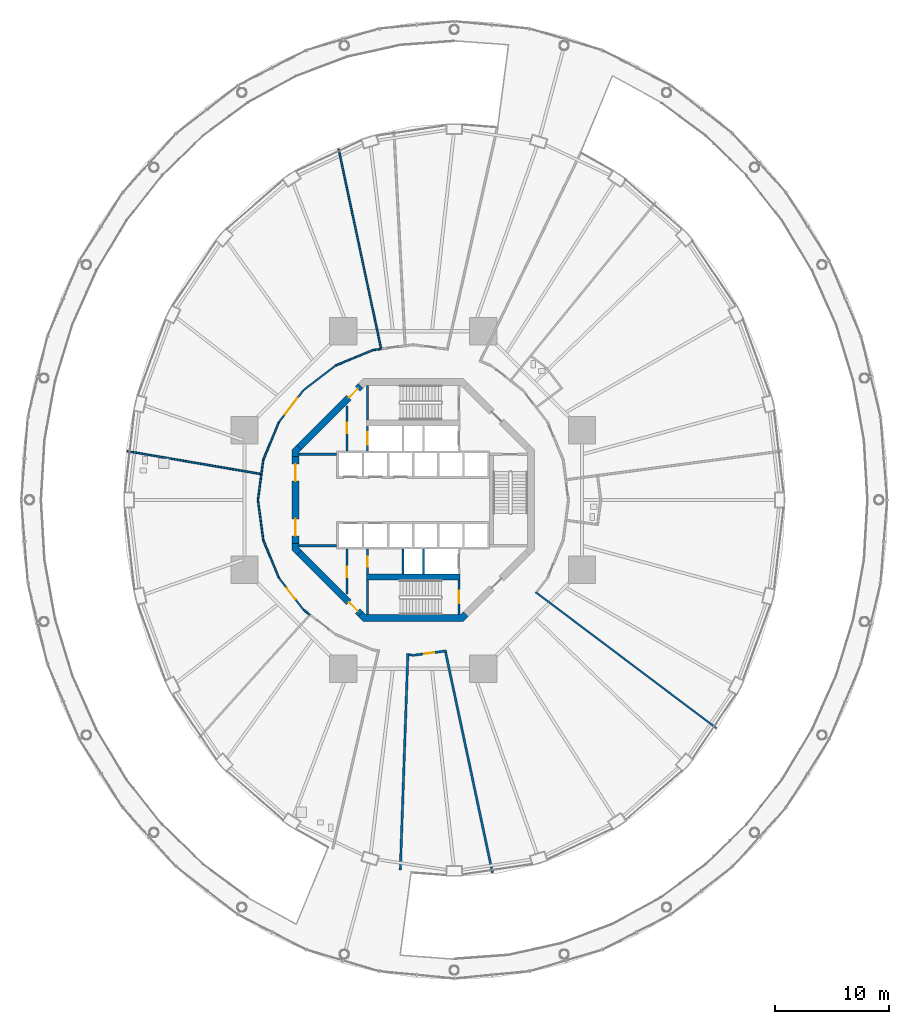
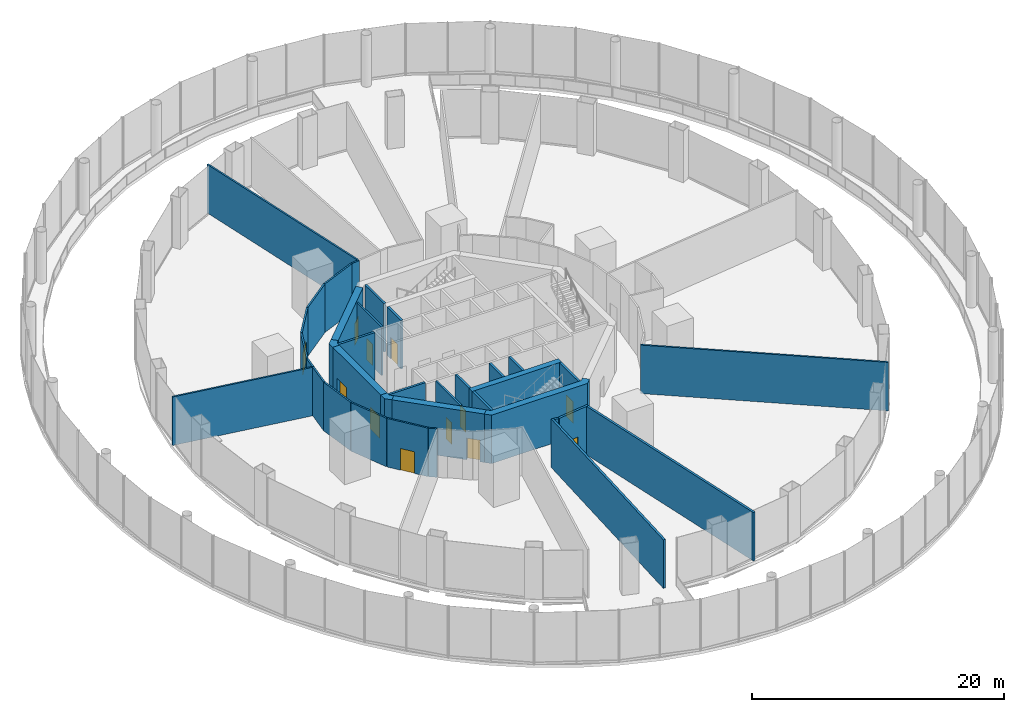
# One storey, part 42 of 47: 36 walls, 12 doors, 12 openings.
"""IFC4 building model written with IfcOpenShell, lengths in metres."""

from ifc_helpers import new_model, si_unit, direction, frame, frame_2d, origin, place, context, subcontext, project, spatial, polyline, rectangle, outline, extrude, material, layer, layer_set, type_object, element, fill, save


model = new_model("IFC4")

# Units and contexts
model_context = context("Model", 3, precision=1e-05, world=origin(), true_north=direction((0.0, 1.0)))
body_context = subcontext(model_context, "Body", "Model", "MODEL_VIEW")
ifc_project = project(units=[si_unit("LENGTHUNIT", "METRE"), si_unit("AREAUNIT", "SQUARE_METRE"), si_unit("VOLUMEUNIT", "CUBIC_METRE"), si_unit("PLANEANGLEUNIT", "RADIAN"), si_unit("MASSUNIT", "GRAM", prefix="KILO")], contexts=[model_context])

# Site, building, storey
site_placement = place(None, origin())
site = spatial("IfcSite", under=ifc_project, at=site_placement, CompositionType="ELEMENT")
building_placement = place(site_placement, origin())
building = spatial("IfcBuilding", under=site, at=building_placement, Name="Nagisa Residences", CompositionType="ELEMENT")
storey_placement = place(building_placement, frame((0.0, 0.0, 7.0)))
storey = spatial("IfcBuildingStorey", under=building, at=storey_placement, Name="L01", CompositionType="ELEMENT", Elevation=7.0)

# Wall, opening, door
ifc_material_1 = material(Name="Gypsum board on steel studs", Category="steel")
ifc_layer_1 = layer(ifc_material_1, 0.14990234375)
ifc_layer_set_1 = layer_set([ifc_layer_1], Name="Core partition 150")
wall_type_1 = type_object("IfcWallType", Name="Core partition 150", PredefinedType="PARTITIONING", material=ifc_layer_set_1)
wall_1_placement = place(storey_placement, frame((-5.800048828125, 4.300048828125, 0.0), z_axis=(0.0, 0.0, 1.0), x_axis=(0.0, 1.0, 0.0)))
wall_1 = element("IfcWall", 1, at=wall_1_placement, inside=storey, type_object=wall_type_1, Name="wall:L01:NWp", PredefinedType="PARTITIONING", context=body_context, shape_type="SweptSolid", body=[
    extrude(rectangle(XDim=3.927001953125, YDim=0.14990234375, at=frame_2d((1.96337890625, 0.0))), origin(), (0.0, 0.0, 1.0), 4.699951171875),
])
opening_1_placement = place(wall_1_placement, frame((1.551025390625, 0.0, 0.0)))
opening_1 = element("IfcOpeningElement", 2, at=opening_1_placement, cuts=wall_1, Name="Opening L01-C12", PredefinedType="OPENING", context=body_context, shape_type="SweptSolid", body=[
    extrude(rectangle(XDim=0.89990234375, YDim=2.10009765625, at=frame_2d((0.449951171875, 1.050048828125))), frame((0.0, 0.0849609375, 0.0), z_axis=(0.0, -1.0, 0.0), x_axis=(1.0, 0.0, 0.0)), (0.0, 0.0, 1.0), 0.169921875),
])
ifc_material_2 = material(Name="Steel fire door", Category="steel")
door_type_1 = type_object("IfcDoorType", Name="Fire door EI30 900x2100 single swing", OperationType="NOTDEFINED", PredefinedType="DOOR", material=ifc_material_2)
door_1_placement = place(opening_1_placement, origin())
door_1 = element("IfcDoor", 3, at=door_1_placement, inside=storey, type_object=door_type_1, Name="Electrical room door L01", OperationType="SINGLE_SWING_LEFT", OverallHeight=2.10009765625, OverallWidth=0.89990234375, PredefinedType="DOOR", context=body_context, shape_type="SweptSolid", body=[
    extrude(rectangle(XDim=0.89990234375, YDim=2.10009765625, at=frame_2d((0.449951171875, 1.050048828125))), frame((0.0, 0.02490234375, 0.0), z_axis=(0.0, -1.0, 0.0), x_axis=(1.0, 0.0, 0.0)), (0.0, 0.0, 1.0), 0.050048828125),
])
fill(opening_1, door_1)

wall_2_placement = place(storey_placement, frame((-5.800048828125, -8.22705078125, 0.0), z_axis=(0.0, 0.0, 1.0), x_axis=(0.0, 1.0, 0.0)))
wall_2 = element("IfcWall", 4, at=wall_2_placement, inside=storey, type_object=wall_type_1, Name="wall:L01:SWp", PredefinedType="PARTITIONING", context=body_context, shape_type="SweptSolid", body=[
    extrude(rectangle(XDim=3.927001953125, YDim=0.14990234375, at=frame_2d((1.96337890625, 0.0))), origin(), (0.0, 0.0, 1.0), 4.699951171875),
])
opening_2_placement = place(wall_2_placement, frame((1.47607421875, 0.0, 0.0)))
opening_2 = element("IfcOpeningElement", 5, at=opening_2_placement, cuts=wall_2, Name="Opening L01-C13", PredefinedType="OPENING", context=body_context, shape_type="SweptSolid", body=[
    extrude(rectangle(XDim=0.89990234375, YDim=2.10009765625, at=frame_2d((0.449951171875, 1.050048828125))), frame((0.0, 0.0849609375, 0.0), z_axis=(0.0, -1.0, 0.0), x_axis=(1.0, 0.0, 0.0)), (0.0, 0.0, 1.0), 0.169921875),
])
door_2_placement = place(opening_2_placement, origin())
door_2 = element("IfcDoor", 6, at=door_2_placement, inside=storey, type_object=door_type_1, Name="Refuse room door L01", OperationType="SINGLE_SWING_LEFT", OverallHeight=2.10009765625, OverallWidth=0.89990234375, PredefinedType="DOOR", context=body_context, shape_type="SweptSolid", body=[
    extrude(rectangle(XDim=0.89990234375, YDim=2.10009765625, at=frame_2d((0.449951171875, 1.050048828125))), frame((0.0, 0.02490234375, 0.0), z_axis=(0.0, -1.0, 0.0), x_axis=(1.0, 0.0, 0.0)), (0.0, 0.0, 1.0), 0.050048828125),
])
fill(opening_2, door_2)

# Walls
ifc_material_3 = material(Name="Gypsum board on steel studs", Category="steel")
ifc_layer_2 = layer(ifc_material_3, 0.199951171875)
ifc_layer_set_2 = layer_set([ifc_layer_2], Name="Core partition 200")
wall_type_2 = type_object("IfcWallType", Name="Core partition 200", PredefinedType="PARTITIONING", material=ifc_layer_set_2)
for number, where, z_axis, x_axis, name in (
    (7, (-10.024658203125, -4.0, 0.0), (0.0, 0.0, 1.0), (1.0, 0.0, 0.0), "wall:L01:PSW"),
    (8, (-10.024658203125, 4.0, 0.0), (0.0, 0.0, 1.0), (1.0, 0.0, 0.0), "wall:L01:PNW"),
):
    element("IfcWall", number, at=place(storey_placement, frame(where, z_axis=z_axis, x_axis=x_axis)), inside=storey, type_object=wall_type_2, Name=name, PredefinedType="PARTITIONING", context=body_context, shape_type="SweptSolid", body=[
        extrude(rectangle(XDim=3.32470703125, YDim=0.199951171875, at=frame_2d((1.662353515625, 0.0))), origin(), (0.0, 0.0, 1.0), 4.699951171875),
    ])

# Wall, opening, door
ifc_material_4 = material(Name="Concrete C60", Category="concrete")
ifc_layer_3 = layer(ifc_material_4, 0.60009765625)
ifc_layer_set_3 = layer_set([ifc_layer_3], Name="Core shear wall 600")
wall_type_3 = type_object("IfcWallType", Name="Core shear wall 600", PredefinedType="SHEAR", material=ifc_layer_set_3)
wall_3_placement = place(storey_placement, frame((-4.613037109375, 9.98828125, 0.0), z_axis=(0.0, 0.0, 1.0), x_axis=(-0.707106781187, -0.707106781187, 0.0)))
wall_3 = element("IfcWall", 9, at=wall_3_placement, inside=storey, type_object=wall_type_3, Name="wall:L01:core:flat3", PredefinedType="SHEAR", context=body_context, shape_type="SweptSolid", body=[
    extrude(rectangle(XDim=7.601806640625, YDim=0.60009765625, at=frame_2d((3.80078125, 0.0))), origin(), (0.0, 0.0, 1.0), 4.699951171875),
])
opening_3_placement = place(wall_3_placement, frame((0.350830078125, 0.0, 0.0)))
opening_3 = element("IfcOpeningElement", 10, at=opening_3_placement, cuts=wall_3, Name="Opening L01-C19", PredefinedType="OPENING", context=body_context, shape_type="SweptSolid", body=[
    extrude(rectangle(XDim=1.10009765625, YDim=2.10009765625, at=frame_2d((0.550048828125, 1.050048828125))), frame((0.0, 0.31005859375, 0.0), z_axis=(0.0, -1.0, 0.0), x_axis=(1.0, 0.0, 0.0)), (0.0, 0.0, 1.0), 0.6201171875),
])
ifc_material_5 = material(Name="Steel fire door", Category="steel")
door_type_2 = type_object("IfcDoorType", Name="Fire door EI60 1100x2100 single swing", OperationType="NOTDEFINED", PredefinedType="DOOR", material=ifc_material_5)
door_3_placement = place(opening_3_placement, origin())
door_3 = element("IfcDoor", 11, at=door_3_placement, inside=storey, type_object=door_type_2, Name="Service lobby door L01", OperationType="SINGLE_SWING_LEFT", OverallHeight=2.10009765625, OverallWidth=1.10009765625, PredefinedType="DOOR", context=body_context, shape_type="SweptSolid", body=[
    extrude(rectangle(XDim=1.10009765625, YDim=2.10009765625, at=frame_2d((0.550048828125, 1.050048828125))), frame((0.0, 0.02490234375, 0.0), z_axis=(0.0, -1.0, 0.0), x_axis=(1.0, 0.0, 0.0)), (0.0, 0.0, 1.0), 0.050048828125),
])
fill(opening_3, door_3)

# Wall, openings, doors
wall_4_placement = place(storey_placement, frame((-10.32470703125, 3.80078125, 0.0), z_axis=(0.0, 0.0, 1.0), x_axis=(0.0, -1.0, 0.0)))
wall_4 = element("IfcWall", 12, at=wall_4_placement, inside=storey, type_object=wall_type_3, Name="wall:L01:core:flat4", PredefinedType="SHEAR", context=body_context, shape_type="SweptSolid", body=[
    extrude(rectangle(XDim=7.6015625, YDim=0.60009765625, at=frame_2d((3.80078125, 0.0))), origin(), (0.0, 0.0, 1.0), 4.699951171875),
])
opening_4_placement = place(wall_4_placement, frame((0.65087890625, 0.0, 0.0)))
opening_4 = element("IfcOpeningElement", 13, at=opening_4_placement, cuts=wall_4, Name="Opening L01-C17", PredefinedType="OPENING", context=body_context, shape_type="SweptSolid", body=[
    extrude(rectangle(XDim=1.5, YDim=2.10009765625, at=frame_2d((0.75, 1.050048828125))), frame((0.0, 0.31005859375, 0.0), z_axis=(0.0, -1.0, 0.0), x_axis=(1.0, 0.0, 0.0)), (0.0, 0.0, 1.0), 0.6201171875),
])
opening_5_placement = place(wall_4_placement, frame((5.450927734375, 0.0, 0.0)))
opening_5 = element("IfcOpeningElement", 14, at=opening_5_placement, cuts=wall_4, Name="Opening L01-C18", PredefinedType="OPENING", context=body_context, shape_type="SweptSolid", body=[
    extrude(rectangle(XDim=1.5, YDim=2.10009765625, at=frame_2d((0.75, 1.050048828125))), frame((0.0, 0.31005859375, 0.0), z_axis=(0.0, -1.0, 0.0), x_axis=(1.0, 0.0, 0.0)), (0.0, 0.0, 1.0), 0.6201171875),
])
ifc_material_6 = material(Name="Steel fire door", Category="steel")
door_type_3 = type_object("IfcDoorType", Name="Fire door EI60 1500x2100 double door single swing", OperationType="DOUBLE_DOOR_SINGLE_SWING", PredefinedType="DOOR", material=ifc_material_6)
door_4_placement = place(opening_4_placement, origin())
door_4 = element("IfcDoor", 15, at=door_4_placement, inside=storey, type_object=door_type_3, Name="Lift lobby door L01 1", OperationType="DOUBLE_DOOR_SINGLE_SWING", OverallHeight=2.10009765625, OverallWidth=1.5, PredefinedType="DOOR", context=body_context, shape_type="SweptSolid", body=[
    extrude(rectangle(XDim=1.5, YDim=2.10009765625, at=frame_2d((0.75, 1.050048828125))), frame((0.0, 0.02490234375, 0.0), z_axis=(0.0, -1.0, 0.0), x_axis=(1.0, 0.0, 0.0)), (0.0, 0.0, 1.0), 0.050048828125),
])
fill(opening_4, door_4)
door_5_placement = place(opening_5_placement, origin())
door_5 = element("IfcDoor", 16, at=door_5_placement, inside=storey, type_object=door_type_3, Name="Lift lobby door L01 2", OperationType="DOUBLE_DOOR_SINGLE_SWING", OverallHeight=2.10009765625, OverallWidth=1.5, PredefinedType="DOOR", context=body_context, shape_type="SweptSolid", body=[
    extrude(rectangle(XDim=1.5, YDim=2.10009765625, at=frame_2d((0.75, 1.050048828125))), frame((0.0, 0.02490234375, 0.0), z_axis=(0.0, -1.0, 0.0), x_axis=(1.0, 0.0, 0.0)), (0.0, 0.0, 1.0), 0.050048828125),
])
fill(opening_5, door_5)

# Wall, opening, door
wall_5_placement = place(storey_placement, frame((-9.98828125, -4.613037109375, 0.0), z_axis=(0.0, 0.0, 1.0), x_axis=(0.707106781187, -0.707106781187, 0.0)))
wall_5 = element("IfcWall", 17, at=wall_5_placement, inside=storey, type_object=wall_type_3, Name="wall:L01:core:flat5", PredefinedType="SHEAR", context=body_context, shape_type="SweptSolid", body=[
    extrude(rectangle(XDim=7.601806640625, YDim=0.60009765625, at=frame_2d((3.80078125, 0.0))), origin(), (0.0, 0.0, 1.0), 4.699951171875),
])
opening_6_placement = place(wall_5_placement, frame((6.15087890625, 0.0, 0.0)))
opening_6 = element("IfcOpeningElement", 18, at=opening_6_placement, cuts=wall_5, Name="Opening L01-C20", PredefinedType="OPENING", context=body_context, shape_type="SweptSolid", body=[
    extrude(rectangle(XDim=1.10009765625, YDim=2.10009765625, at=frame_2d((0.550048828125, 1.050048828125))), frame((0.0, 0.31005859375, 0.0), z_axis=(0.0, -1.0, 0.0), x_axis=(1.0, 0.0, 0.0)), (0.0, 0.0, 1.0), 0.6201171875),
])
door_6_placement = place(opening_6_placement, origin())
door_6 = element("IfcDoor", 19, at=door_6_placement, inside=storey, type_object=door_type_2, Name="Housekeeping lobby door L01", OperationType="SINGLE_SWING_LEFT", OverallHeight=2.10009765625, OverallWidth=1.10009765625, PredefinedType="DOOR", context=body_context, shape_type="SweptSolid", body=[
    extrude(rectangle(XDim=1.10009765625, YDim=2.10009765625, at=frame_2d((0.550048828125, 1.050048828125))), frame((0.0, 0.02490234375, 0.0), z_axis=(0.0, -1.0, 0.0), x_axis=(1.0, 0.0, 0.0)), (0.0, 0.0, 1.0), 0.050048828125),
])
fill(opening_6, door_6)

# Walls
wall_6_placement = place(storey_placement, origin())
element("IfcWall", 20, at=wall_6_placement, inside=storey, type_object=wall_type_3, Name="wall:L01:core:pier4", PredefinedType="SHEAR", context=body_context, shape_type="SweptSolid", body=[
    extrude(outline(polyline([(-10.62451171875, -3.80078125), (-10.024658203125, -3.80078125), (-10.024658203125, -4.15234375), (-9.776123046875, -4.40087890625), (-10.200439453125, -4.8251953125), (-10.62451171875, -4.40087890625), (-10.62451171875, -3.80078125)])), origin(), (0.0, 0.0, 1.0), 4.699951171875),
])
wall_7_placement = place(storey_placement, origin())
element("IfcWall", 21, at=wall_7_placement, inside=storey, type_object=wall_type_3, Name="wall:L01:core:pier3", PredefinedType="SHEAR", context=body_context, shape_type="SweptSolid", body=[
    extrude(outline(polyline([(-10.200439453125, 4.8251953125), (-9.776123046875, 4.40087890625), (-10.024658203125, 4.15234375), (-10.024658203125, 3.80078125), (-10.62451171875, 3.80078125), (-10.62451171875, 4.40087890625), (-10.200439453125, 4.8251953125)])), origin(), (0.0, 0.0, 1.0), 4.699951171875),
])
wall_8_placement = place(storey_placement, origin())
element("IfcWall", 22, at=wall_8_placement, inside=storey, type_object=wall_type_3, Name="wall:L01:core:flat6", PredefinedType="SHEAR", context=body_context, shape_type="SweptSolid", body=[
    extrude(outline(polyline([(-4.15234375, -10.024658203125), (4.15234375, -10.024658203125), (4.40087890625, -9.776123046875), (4.8251953125, -10.200439453125), (4.40087890625, -10.62451171875), (-4.40087890625, -10.62451171875), (-4.8251953125, -10.200439453125), (-4.40087890625, -9.776123046875), (-4.15234375, -10.024658203125)])), origin(), (0.0, 0.0, 1.0), 4.699951171875),
])

# Wall, opening, door
ifc_material_7 = material(Name="Concrete C60", Category="concrete")
ifc_layer_4 = layer(ifc_material_7, 0.199951171875)
ifc_layer_set_4 = layer_set([ifc_layer_4], Name="Lift shaft wall 200")
wall_type_4 = type_object("IfcWallType", Name="Lift shaft wall 200", PredefinedType="SOLIDWALL", material=ifc_layer_set_4)
wall_9_placement = place(storey_placement, frame((-4.0, 4.300048828125, 0.0), z_axis=(0.0, 0.0, 1.0), x_axis=(0.0, 1.0, 0.0)))
wall_9 = element("IfcWall", 23, at=wall_9_placement, inside=storey, type_object=wall_type_4, Name="wall:L01:Nb4", PredefinedType="SOLIDWALL", context=body_context, shape_type="SweptSolid", body=[
    extrude(rectangle(XDim=2.199951171875, YDim=0.199951171875, at=frame_2d((1.10009765625, 0.0))), origin(), (0.0, 0.0, 1.0), 4.699951171875),
])
opening_7_placement = place(wall_9_placement, frame((0.550048828125, 0.0, 0.0)))
opening_7 = element("IfcOpeningElement", 24, at=opening_7_placement, cuts=wall_9, Name="Opening L01-C08", PredefinedType="OPENING", context=body_context, shape_type="SweptSolid", body=[
    extrude(rectangle(XDim=1.10009765625, YDim=2.10009765625, at=frame_2d((0.550048828125, 1.050048828125))), frame((0.0, 0.10986328125, 0.0), z_axis=(0.0, -1.0, 0.0), x_axis=(1.0, 0.0, 0.0)), (0.0, 0.0, 1.0), 0.219970703125),
])
ifc_material_8 = material(Name="Stainless steel", Category="steel")
door_type_4 = type_object("IfcDoorType", Name="Lift landing door 1100x2100", OperationType="DOUBLE_DOOR_SLIDING", PredefinedType="DOOR", material=ifc_material_8)
door_7_placement = place(opening_7_placement, origin())
door_7 = element("IfcDoor", 25, at=door_7_placement, inside=storey, type_object=door_type_4, Name="Landing door SV L01", OperationType="DOUBLE_DOOR_SLIDING", OverallHeight=2.10009765625, OverallWidth=1.10009765625, PredefinedType="DOOR", context=body_context, shape_type="SweptSolid", body=[
    extrude(rectangle(XDim=1.10009765625, YDim=2.10009765625, at=frame_2d((0.550048828125, 1.050048828125))), frame((0.0, 0.02490234375, 0.0), z_axis=(0.0, -1.0, 0.0), x_axis=(1.0, 0.0, 0.0)), (0.0, 0.0, 1.0), 0.050048828125),
])
fill(opening_7, door_7)

wall_10_placement = place(storey_placement, frame((-4.0, -6.5, 0.0), z_axis=(0.0, 0.0, 1.0), x_axis=(0.0, 1.0, 0.0)))
wall_10 = element("IfcWall", 26, at=wall_10_placement, inside=storey, type_object=wall_type_4, Name="wall:L01:Sb4", PredefinedType="SOLIDWALL", context=body_context, shape_type="SweptSolid", body=[
    extrude(rectangle(XDim=2.199951171875, YDim=0.199951171875, at=frame_2d((1.10009765625, 0.0))), origin(), (0.0, 0.0, 1.0), 4.699951171875),
])
opening_8_placement = place(wall_10_placement, frame((0.64990234375, 0.0, 0.0)))
opening_8 = element("IfcOpeningElement", 27, at=opening_8_placement, cuts=wall_10, Name="Opening L01-C14", PredefinedType="OPENING", context=body_context, shape_type="SweptSolid", body=[
    extrude(rectangle(XDim=0.89990234375, YDim=2.10009765625, at=frame_2d((0.449951171875, 1.050048828125))), frame((0.0, 0.10986328125, 0.0), z_axis=(0.0, -1.0, 0.0), x_axis=(1.0, 0.0, 0.0)), (0.0, 0.0, 1.0), 0.219970703125),
])
door_8_placement = place(opening_8_placement, frame((0.89990234375, 0.0, 0.0), x_axis=(-1.0, 0.0, 0.0)))
door_8 = element("IfcDoor", 28, at=door_8_placement, inside=storey, type_object=door_type_1, Name="Refuse room door L01", OperationType="SINGLE_SWING_LEFT", OverallHeight=2.10009765625, OverallWidth=0.89990234375, PredefinedType="DOOR", context=body_context, shape_type="SweptSolid", body=[
    extrude(rectangle(XDim=0.89990234375, YDim=2.10009765625, at=frame_2d((0.449951171875, 1.050048828125))), frame((0.0, 0.02490234375, 0.0), z_axis=(0.0, -1.0, 0.0), x_axis=(1.0, 0.0, 0.0)), (0.0, 0.0, 1.0), 0.050048828125),
])
fill(opening_8, door_8)

# Walls
for number, where, z_axis, x_axis, name in (
    (29, (-0.89990234375, -6.5, 0.0), (0.0, 0.0, 1.0), (0.0, 1.0, 0.0), "wall:L01:Sb1"),
    (30, (0.89990234375, -6.5, 0.0), (0.0, 0.0, 1.0), (0.0, 1.0, 0.0), "wall:L01:Sb2"),
):
    element("IfcWall", number, at=place(storey_placement, frame(where, z_axis=z_axis, x_axis=x_axis)), inside=storey, type_object=wall_type_4, Name=name, PredefinedType="SOLIDWALL", context=body_context, shape_type="SweptSolid", body=[
        extrude(rectangle(XDim=2.199951171875, YDim=0.199951171875, at=frame_2d((1.10009765625, 0.0))), origin(), (0.0, 0.0, 1.0), 4.699951171875),
    ])
ifc_material_9 = material(Name="Gypsum board on steel studs", Category="steel")
ifc_layer_5 = layer(ifc_material_9, 0.199951171875)
ifc_layer_set_5 = layer_set([ifc_layer_5], Name="Plant room wall EI120 200")
wall_type_5 = type_object("IfcWallType", Name="Plant room wall EI120 200", PredefinedType="PARTITIONING", material=ifc_layer_set_5)
wall_11_placement = place(storey_placement, frame((-0.46923828125, -13.4375, 0.0), z_axis=(0.0, 0.0, 1.0), x_axis=(-0.034906746489, -0.999390573825, 0.0)))
element("IfcWall", 31, at=wall_11_placement, inside=storey, type_object=wall_type_5, Name="wall:L01:am047", PredefinedType="PARTITIONING", context=body_context, shape_type="SweptSolid", body=[
    extrude(rectangle(XDim=18.974853515625, YDim=0.199951171875, at=frame_2d((9.4873046875, 0.0))), origin(), (0.0, 0.0, 1.0), 4.699951171875),
])
wall_12_placement = place(storey_placement, frame((-0.01513671875, -13.597900390625, 0.0), z_axis=(0.0, 0.0, 1.0), x_axis=(-0.991532387941, 0.129859630617, 0.0)))
element("IfcWall", 32, at=wall_12_placement, inside=storey, type_object=wall_type_5, Name="wall:L01:am048", PredefinedType="PARTITIONING", context=body_context, shape_type="SweptSolid", body=[
    extrude(rectangle(XDim=0.361083984375, YDim=0.199951171875, at=frame_2d((0.1806640625, 0.0))), origin(), (0.0, 0.0, 1.0), 4.699951171875),
])

# Wall, opening, door
wall_13_placement = place(storey_placement, frame((2.91162109375, -13.216796875, 0.0), z_axis=(0.0, 0.0, 1.0), x_axis=(-0.991454864412, -0.130450189089, 0.0)))
wall_13 = element("IfcWall", 33, at=wall_13_placement, inside=storey, type_object=wall_type_5, Name="wall:L01:am049", PredefinedType="PARTITIONING", context=body_context, shape_type="SweptSolid", body=[
    extrude(rectangle(XDim=2.92138671875, YDim=0.199951171875, at=frame_2d((1.460693359375, 0.0))), origin(), (0.0, 0.0, 1.0), 4.699951171875),
])
opening_9_placement = place(wall_13_placement, frame((1.068603515625, 0.0, 0.0)))
opening_9 = element("IfcOpeningElement", 34, at=opening_9_placement, cuts=wall_13, Name="Opening L01-A09", PredefinedType="OPENING", context=body_context, shape_type="SweptSolid", body=[
    extrude(rectangle(XDim=0.89990234375, YDim=2.10009765625, at=frame_2d((0.449951171875, 1.050048828125))), frame((0.0, 0.10986328125, 0.0), z_axis=(0.0, -1.0, 0.0), x_axis=(1.0, 0.0, 0.0)), (0.0, 0.0, 1.0), 0.219970703125),
])
ifc_material_10 = material(Name="Steel fire door", Category="steel")
door_type_5 = type_object("IfcDoorType", Name="Fire door EI120 900x2100 single swing", OperationType="NOTDEFINED", PredefinedType="DOOR", material=ifc_material_10)
door_9_placement = place(opening_9_placement, origin())
door_9 = element("IfcDoor", 35, at=door_9_placement, inside=storey, type_object=door_type_5, Name="Wellness plant room door", OperationType="SINGLE_SWING_LEFT", OverallHeight=2.10009765625, OverallWidth=0.89990234375, PredefinedType="DOOR", context=body_context, shape_type="SweptSolid", body=[
    extrude(rectangle(XDim=0.89990234375, YDim=2.10009765625, at=frame_2d((0.449951171875, 1.050048828125))), frame((0.0, 0.02490234375, 0.0), z_axis=(0.0, -1.0, 0.0), x_axis=(1.0, 0.0, 0.0)), (0.0, 0.0, 1.0), 0.050048828125),
])
fill(opening_9, door_9)

# Walls
wall_14_placement = place(storey_placement, frame((6.940185546875, -32.650634765625, 0.0), z_axis=(0.0, 0.0, 1.0), x_axis=(-0.207911671545, 0.97814760483, 0.0)))
element("IfcWall", 36, at=wall_14_placement, inside=storey, type_object=wall_type_5, Name="wall:L01:am050", PredefinedType="PARTITIONING", context=body_context, shape_type="SweptSolid", body=[
    extrude(rectangle(XDim=19.75439453125, YDim=0.199951171875, at=frame_2d((9.877197265625, 0.0))), origin(), (0.0, 0.0, 1.0), 4.699951171875),
])
ifc_material_11 = material(Name="Gypsum board on steel studs", Category="steel")
ifc_layer_6 = layer(ifc_material_11, 0.14990234375)
ifc_layer_set_6 = layer_set([ifc_layer_6], Name="Room partition EI60 150")
wall_type_6 = type_object("IfcWallType", Name="Room partition EI60 150", PredefinedType="PARTITIONING", material=ifc_layer_set_6)
wall_15_placement = place(storey_placement, frame((-13.598388671875, 0.01171875, 0.0), z_axis=(0.0, 0.0, 1.0), x_axis=(0.130457285505, 0.991453930679, 0.0)))
element("IfcWall", 37, at=wall_15_placement, inside=storey, type_object=wall_type_6, Name="wall:L01:am000", PredefinedType="PARTITIONING", context=body_context, shape_type="SweptSolid", body=[
    extrude(rectangle(XDim=2.277587890625, YDim=0.14990234375, at=frame_2d((1.138671875, 0.0))), origin(), (0.0, 0.0, 1.0), 4.699951171875),
])
wall_16_placement = place(storey_placement, frame((-13.375244140625, 2.282470703125, 0.0), z_axis=(0.0, 0.0, 1.0), x_axis=(-0.985753347153, 0.168197320361, 0.0)))
element("IfcWall", 38, at=wall_16_placement, inside=storey, type_object=wall_type_6, Name="wall:L01:am001", PredefinedType="PARTITIONING", context=body_context, shape_type="SweptSolid", body=[
    extrude(rectangle(XDim=11.84716796875, YDim=0.14990234375, at=frame_2d((5.923583984375, 0.0))), origin(), (0.0, 0.0, 1.0), 4.699951171875),
])
wall_17_placement = place(storey_placement, frame((-13.30126953125, 2.269775390625, 0.0), z_axis=(0.0, 0.0, 1.0), x_axis=(0.130575867104, 0.991438320285, 0.0)))
element("IfcWall", 39, at=wall_17_placement, inside=storey, type_object=wall_type_6, Name="wall:L01:am002", PredefinedType="PARTITIONING", context=body_context, shape_type="SweptSolid", body=[
    extrude(rectangle(XDim=1.2490234375, YDim=0.14990234375, at=frame_2d((0.62451171875, 0.0))), origin(), (0.0, 0.0, 1.0), 4.699951171875),
])
wall_18_placement = place(storey_placement, frame((-13.13818359375, -3.508056640625, 0.0), z_axis=(0.0, 0.0, 1.0), x_axis=(-0.130499283623, 0.991448403586, 0.0)))
element("IfcWall", 40, at=wall_18_placement, inside=storey, type_object=wall_type_6, Name="wall:L01:am003", PredefinedType="PARTITIONING", context=body_context, shape_type="SweptSolid", body=[
    extrude(rectangle(XDim=3.526611328125, YDim=0.14990234375, at=frame_2d((1.76318359375, 0.0))), origin(), (0.0, 0.0, 1.0), 4.699951171875),
])
for number, where, z_axis, x_axis, name in (
    (41, (-13.132080078125, 3.53076171875, 0.0), (0.0, 0.0, 1.0), (0.382677866108, 0.923881838111, 0.0), "wall:L01:am004"),
    (42, (-11.782470703125, -6.7890625, 0.0), (0.0, 0.0, 1.0), (-0.382677866108, 0.923881838111, 0.0), "wall:L01:am005"),
):
    element("IfcWall", number, at=place(storey_placement, frame(where, z_axis=z_axis, x_axis=x_axis)), inside=storey, type_object=wall_type_6, Name=name, PredefinedType="PARTITIONING", context=body_context, shape_type="SweptSolid", body=[
        extrude(rectangle(XDim=3.52685546875, YDim=0.14990234375, at=frame_2d((1.763427734375, 0.0))), origin(), (0.0, 0.0, 1.0), 4.699951171875),
    ])

# Wall, opening, door
wall_19_placement = place(storey_placement, frame((-11.770751953125, 6.809326171875, 0.0), z_axis=(0.0, 0.0, 1.0), x_axis=(0.608736710054, 0.793372307201, 0.0)))
wall_19 = element("IfcWall", 43, at=wall_19_placement, inside=storey, type_object=wall_type_6, Name="wall:L01:am006", PredefinedType="PARTITIONING", context=body_context, shape_type="SweptSolid", body=[
    extrude(rectangle(XDim=3.526611328125, YDim=0.14990234375, at=frame_2d((1.76318359375, 0.0))), origin(), (0.0, 0.0, 1.0), 4.699951171875),
])
opening_10_placement = place(wall_19_placement, frame((0.86328125, 0.0, 0.0)))
opening_10 = element("IfcOpeningElement", 44, at=opening_10_placement, cuts=wall_19, Name="Opening L01-A06", PredefinedType="OPENING", context=body_context, shape_type="SweptSolid", body=[
    extrude(rectangle(XDim=1.800048828125, YDim=2.10009765625, at=frame_2d((0.89990234375, 1.050048828125))), frame((0.0, 0.0849609375, 0.0), z_axis=(0.0, -1.0, 0.0), x_axis=(1.0, 0.0, 0.0)), (0.0, 0.0, 1.0), 0.169921875),
])
ifc_material_12 = material(Name="Steel fire door", Category="steel")
door_type_6 = type_object("IfcDoorType", Name="Fire door EI30 1800x2100 double door single swing", OperationType="DOUBLE_DOOR_SINGLE_SWING", PredefinedType="DOOR", material=ifc_material_12)
door_10_placement = place(opening_10_placement, origin())
door_10 = element("IfcDoor", 45, at=door_10_placement, inside=storey, type_object=door_type_6, Name="Hydrotherapy spa suite door", OperationType="DOUBLE_DOOR_SINGLE_SWING", OverallHeight=2.10009765625, OverallWidth=1.800048828125, PredefinedType="DOOR", context=body_context, shape_type="SweptSolid", body=[
    extrude(rectangle(XDim=1.800048828125, YDim=2.10009765625, at=frame_2d((0.89990234375, 1.050048828125))), frame((0.0, 0.02490234375, 0.0), z_axis=(0.0, -1.0, 0.0), x_axis=(1.0, 0.0, 0.0)), (0.0, 0.0, 1.0), 0.050048828125),
])
fill(opening_10, door_10)

wall_20_placement = place(storey_placement, frame((-9.6240234375, -9.607177734375, 0.0), z_axis=(0.0, 0.0, 1.0), x_axis=(-0.608736710054, 0.793372307201, 0.0)))
wall_20 = element("IfcWall", 46, at=wall_20_placement, inside=storey, type_object=wall_type_6, Name="wall:L01:am007", PredefinedType="PARTITIONING", context=body_context, shape_type="SweptSolid", body=[
    extrude(rectangle(XDim=3.526611328125, YDim=0.14990234375, at=frame_2d((1.76318359375, 0.0))), origin(), (0.0, 0.0, 1.0), 4.699951171875),
])
opening_11_placement = place(wall_20_placement, frame((1.163330078125, 0.0, 0.0)))
opening_11 = element("IfcOpeningElement", 47, at=opening_11_placement, cuts=wall_20, Name="Opening L01-A07", PredefinedType="OPENING", context=body_context, shape_type="SweptSolid", body=[
    extrude(rectangle(XDim=1.199951171875, YDim=2.10009765625, at=frame_2d((0.60009765625, 1.050048828125))), frame((0.0, 0.0849609375, 0.0), z_axis=(0.0, -1.0, 0.0), x_axis=(1.0, 0.0, 0.0)), (0.0, 0.0, 1.0), 0.169921875),
])
ifc_material_13 = material(Name="Steel fire door", Category="steel")
door_type_7 = type_object("IfcDoorType", Name="Fire door EI30 1200x2100 single swing", OperationType="NOTDEFINED", PredefinedType="DOOR", material=ifc_material_13)
door_11_placement = place(opening_11_placement, frame((1.199951171875, 0.0, 0.0), x_axis=(-1.0, 0.0, 0.0)))
door_11 = element("IfcDoor", 48, at=door_11_placement, inside=storey, type_object=door_type_7, Name="Women's changing rooms door", OperationType="SINGLE_SWING_RIGHT", OverallHeight=2.10009765625, OverallWidth=1.199951171875, PredefinedType="DOOR", context=body_context, shape_type="SweptSolid", body=[
    extrude(rectangle(XDim=1.199951171875, YDim=2.10009765625, at=frame_2d((0.60009765625, 1.050048828125))), frame((0.0, 0.02490234375, 0.0), z_axis=(0.0, -1.0, 0.0), x_axis=(1.0, 0.0, 0.0)), (0.0, 0.0, 1.0), 0.050048828125),
])
fill(opening_11, door_11)

# Walls
wall_21_placement = place(storey_placement, frame((-9.607177734375, 9.6240234375, 0.0), z_axis=(0.0, 0.0, 1.0), x_axis=(0.793372307201, 0.608736710054, 0.0)))
element("IfcWall", 49, at=wall_21_placement, inside=storey, type_object=wall_type_6, Name="wall:L01:am008", PredefinedType="PARTITIONING", context=body_context, shape_type="SweptSolid", body=[
    extrude(rectangle(XDim=3.526611328125, YDim=0.14990234375, at=frame_2d((1.76318359375, 0.0))), origin(), (0.0, 0.0, 1.0), 4.699951171875),
])
wall_22_placement = place(storey_placement, frame((-9.05029296875, -10.05126953125, 0.0), z_axis=(0.0, 0.0, 1.0), x_axis=(-0.793399175387, 0.608701690893, 0.0)))
element("IfcWall", 50, at=wall_22_placement, inside=storey, type_object=wall_type_6, Name="wall:L01:am010", PredefinedType="PARTITIONING", context=body_context, shape_type="SweptSolid", body=[
    extrude(rectangle(XDim=0.701904296875, YDim=0.14990234375, at=frame_2d((0.35107421875, 0.0))), origin(), (0.0, 0.0, 1.0), 4.699951171875),
])
wall_23_placement = place(storey_placement, frame((-6.7890625, 11.782470703125, 0.0), z_axis=(0.0, 0.0, 1.0), x_axis=(0.923881838111, 0.382677866108, 0.0)))
element("IfcWall", 51, at=wall_23_placement, inside=storey, type_object=wall_type_6, Name="wall:L01:am013", PredefinedType="PARTITIONING", context=body_context, shape_type="SweptSolid", body=[
    extrude(rectangle(XDim=3.52685546875, YDim=0.14990234375, at=frame_2d((1.763427734375, 0.0))), origin(), (0.0, 0.0, 1.0), 4.699951171875),
])
wall_24_placement = place(storey_placement, frame((-3.508056640625, 13.13818359375, 0.0), z_axis=(0.0, 0.0, 1.0), x_axis=(0.991460212813, 0.130409533429, 0.0)))
element("IfcWall", 52, at=wall_24_placement, inside=storey, type_object=wall_type_6, Name="wall:L01:am015", PredefinedType="PARTITIONING", context=body_context, shape_type="SweptSolid", body=[
    extrude(rectangle(XDim=0.7021484375, YDim=0.14990234375, at=frame_2d((0.35107421875, 0.0))), origin(), (0.0, 0.0, 1.0), 4.699951171875),
])
wall_25_placement = place(storey_placement, frame((-2.82763671875, 13.303466796875, 0.0), z_axis=(0.0, 0.0, 1.0), x_axis=(-0.207919318844, 0.978145979316, 0.0)))
element("IfcWall", 53, at=wall_25_placement, inside=storey, type_object=wall_type_6, Name="wall:L01:am017", PredefinedType="PARTITIONING", context=body_context, shape_type="SweptSolid", body=[
    extrude(rectangle(XDim=17.838623046875, YDim=0.14990234375, at=frame_2d((8.91943359375, 0.0))), origin(), (0.0, 0.0, 1.0), 4.699951171875),
])
wall_26_placement = place(storey_placement, frame((10.713623046875, -8.063720703125, 0.0), z_axis=(0.0, 0.0, 1.0), x_axis=(0.798982081461, -0.601354831612, 0.0)))
element("IfcWall", 54, at=wall_26_placement, inside=storey, type_object=wall_type_6, Name="wall:L01:am030", PredefinedType="PARTITIONING", context=body_context, shape_type="SweptSolid", body=[
    extrude(rectangle(XDim=19.82373046875, YDim=0.14990234375, at=frame_2d((9.911865234375, 0.0))), origin(), (0.0, 0.0, 1.0), 4.699951171875),
])

# Wall, opening, door
ifc_material_14 = material(Name="Concrete C60", Category="concrete")
ifc_layer_7 = layer(ifc_material_14, 0.199951171875)
ifc_layer_set_7 = layer_set([ifc_layer_7], Name="Stair enclosure wall 200")
wall_type_7 = type_object("IfcWallType", Name="Stair enclosure wall 200", PredefinedType="SOLIDWALL", material=ifc_layer_set_7)
wall_27_placement = place(storey_placement, frame((4.0, -10.024658203125, 0.0), z_axis=(0.0, 0.0, 1.0), x_axis=(0.0, 1.0, 0.0)))
wall_27 = element("IfcWall", 55, at=wall_27_placement, inside=storey, type_object=wall_type_7, Name="wall:L01:SS_e", PredefinedType="SOLIDWALL", context=body_context, shape_type="SweptSolid", body=[
    extrude(rectangle(XDim=3.0, YDim=0.199951171875, at=frame_2d((1.5, 0.0))), origin(), (0.0, 0.0, 1.0), 4.699951171875),
])
opening_12_placement = place(wall_27_placement, frame((0.974609375, 0.0, 0.0)))
opening_12 = element("IfcOpeningElement", 56, at=opening_12_placement, cuts=wall_27, Name="Opening L01-C11", PredefinedType="OPENING", context=body_context, shape_type="SweptSolid", body=[
    extrude(rectangle(XDim=1.10009765625, YDim=2.10009765625, at=frame_2d((0.550048828125, 1.050048828125))), frame((0.0, 0.10986328125, 0.0), z_axis=(0.0, -1.0, 0.0), x_axis=(1.0, 0.0, 0.0)), (0.0, 0.0, 1.0), 0.219970703125),
])
ifc_material_15 = material(Name="Steel fire door", Category="steel")
door_type_8 = type_object("IfcDoorType", Name="Fire door EI90 1100x2100 single swing", OperationType="NOTDEFINED", PredefinedType="DOOR", material=ifc_material_15)
door_12_placement = place(opening_12_placement, origin())
door_12 = element("IfcDoor", 57, at=door_12_placement, inside=storey, type_object=door_type_8, Name="Stair door ST-S L01", OperationType="SINGLE_SWING_LEFT", OverallHeight=2.10009765625, OverallWidth=1.10009765625, PredefinedType="DOOR", context=body_context, shape_type="SweptSolid", body=[
    extrude(rectangle(XDim=1.10009765625, YDim=2.10009765625, at=frame_2d((0.550048828125, 1.050048828125))), frame((0.0, 0.02490234375, 0.0), z_axis=(0.0, -1.0, 0.0), x_axis=(1.0, 0.0, 0.0)), (0.0, 0.0, 1.0), 0.050048828125),
])
fill(opening_12, door_12)

# Walls
wall_28_placement = place(storey_placement, origin())
element("IfcWall", 58, at=wall_28_placement, inside=storey, type_object=wall_type_7, Name="wall:L01:SS_w", PredefinedType="SOLIDWALL", context=body_context, shape_type="SweptSolid", body=[
    extrude(outline(polyline([(-3.89990234375, -10.024658203125), (-4.10009765625, -10.024658203125), (-4.10009765625, -7.024658203125), (-3.89990234375, -7.024658203125), (-3.89990234375, -10.024658203125)])), origin(), (0.0, 0.0, 1.0), 4.699951171875),
])
wall_29_placement = place(storey_placement, origin())
element("IfcWall", 59, at=wall_29_placement, inside=storey, type_object=wall_type_7, Name="wall:L01:SN_w", PredefinedType="SOLIDWALL", context=body_context, shape_type="SweptSolid", body=[
    extrude(outline(polyline([(-3.89990234375, 7.024658203125), (-4.10009765625, 7.024658203125), (-4.10009765625, 10.024658203125), (-3.89990234375, 10.024658203125), (-3.89990234375, 7.024658203125)])), origin(), (0.0, 0.0, 1.0), 4.699951171875),
])
wall_30_placement = place(storey_placement, origin())
element("IfcWall", 60, at=wall_30_placement, inside=storey, type_object=wall_type_7, Name="wall:L01:SS_n", PredefinedType="SOLIDWALL", context=body_context, shape_type="SweptSolid", body=[
    extrude(outline(polyline([(4.10009765625, -7.024658203125), (-4.10009765625, -7.024658203125), (-4.10009765625, -6.5), (4.10009765625, -6.5), (4.10009765625, -7.024658203125)])), origin(), (0.0, 0.0, 1.0), 4.699951171875),
])

save(model, "model.ifc")
